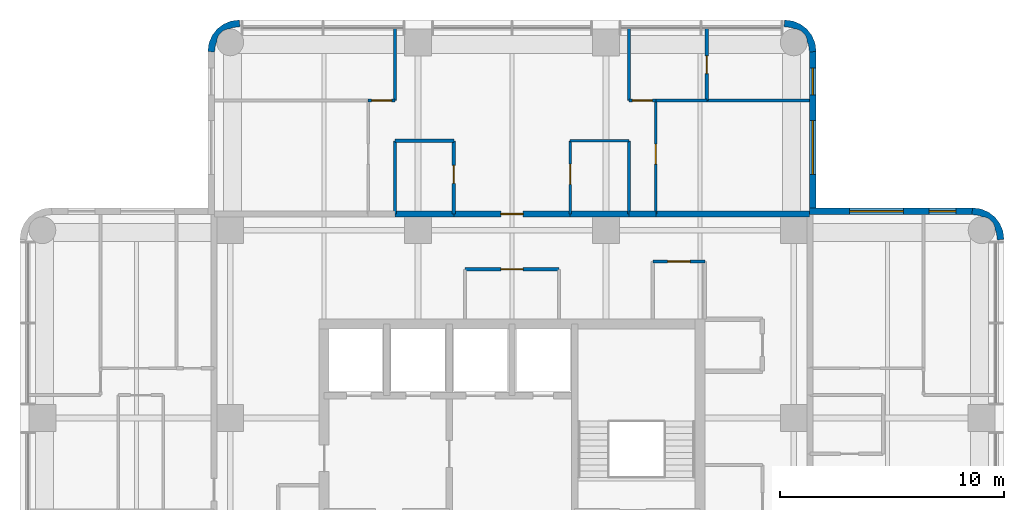
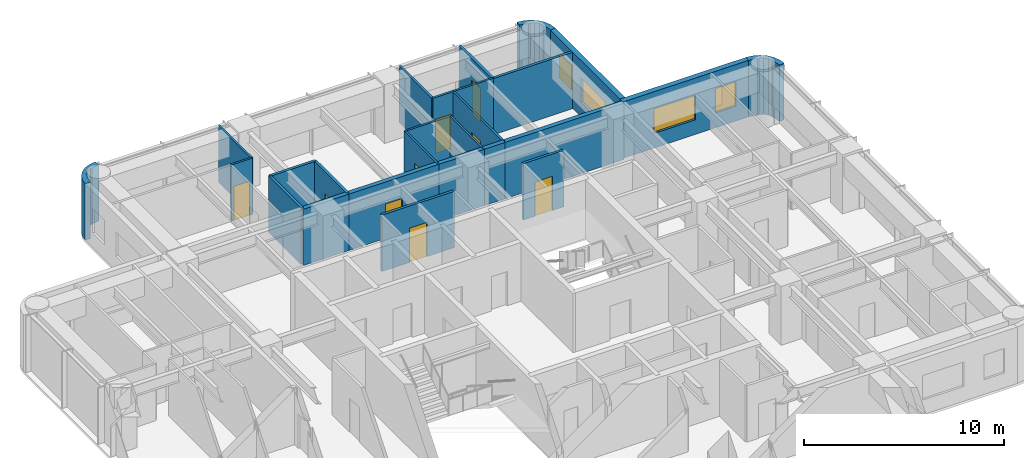
# One storey, part 8 of 10: 26 walls, 9 doors, 4 windows, 13 openings.
"""IFC4 building model written with IfcOpenShell, lengths in metres."""

from ifc_helpers import new_model, si_unit, direction, frame, frame_2d, origin, place, context, subcontext, project, spatial, polyline, rectangle, outline, extrude, material, layer, layer_set, type_object, element, fill, save


model = new_model("IFC4")

# Units and contexts
model_context = context("Model", 3, precision=1e-05, world=origin(), true_north=direction((0.0, 1.0)))
body_context = subcontext(model_context, "Body", "Model", "MODEL_VIEW")
ifc_project = project(units=[si_unit("LENGTHUNIT", "METRE"), si_unit("AREAUNIT", "SQUARE_METRE"), si_unit("VOLUMEUNIT", "CUBIC_METRE"), si_unit("PLANEANGLEUNIT", "RADIAN"), si_unit("MASSUNIT", "GRAM", prefix="KILO")], contexts=[model_context])

# Site, building, storey
site_placement = place(None, origin())
site = spatial("IfcSite", under=ifc_project, at=site_placement, CompositionType="ELEMENT")
building_placement = place(site_placement, origin())
building = spatial("IfcBuilding", under=site, at=building_placement, Name="Torre Alcanfor", CompositionType="ELEMENT")
storey_placement = place(building_placement, frame((0.0, 0.0, 264.89990234375)))
storey = spatial("IfcBuildingStorey", under=building, at=storey_placement, Name="L69", CompositionType="ELEMENT", Elevation=264.89990234375)

# Wall, opening, door
ifc_material_1 = material(Name="Concrete block masonry, hollow blocks NMX-C-404 9 MPa", Category="masonry")
ifc_layer_1 = layer(ifc_material_1, 0.25)
ifc_layer_set_1 = layer_set([ifc_layer_1], Name="Apartment entrance wall 250 EI 60")
wall_type_1 = type_object("IfcWallType", Name="Apartment entrance wall 250 EI 60", PredefinedType="PARTITIONING", material=ifc_layer_set_1)
wall_1_placement = place(storey_placement, frame((26.800048828125, 42.72509765625, 0.0), z_axis=(0.0, 0.0, 1.0), x_axis=(1.0, 0.0, 0.0)))
wall_1 = element("IfcWall", 1, at=wall_1_placement, inside=storey, type_object=wall_type_1, Name="Partition L69-CORR / L69-NX-ZAG", PredefinedType="PARTITIONING", context=body_context, shape_type="SweptSolid", body=[
    extrude(rectangle(XDim=5.199951171875, YDim=0.25, at=frame_2d((2.60009765625, 0.0))), origin(), (0.0, 0.0, 1.0), 3.4501953125),
])
opening_1_placement = place(wall_1_placement, frame((2.10009765625, 0.0, 0.0)))
opening_1 = element("IfcOpeningElement", 2, at=opening_1_placement, cuts=wall_1, Name="Opening D-A1", PredefinedType="OPENING", context=body_context, shape_type="SweptSolid", body=[
    extrude(rectangle(XDim=1.0, YDim=2.10009765625, at=frame_2d((0.5, 1.050048828125))), frame((0.0, 0.135009765625, 0.0), z_axis=(0.0, -1.0, 0.0), x_axis=(1.0, 0.0, 0.0)), (0.0, 0.0, 1.0), 0.27001953125),
])
ifc_material_2 = material(Name="Galvanised steel sheet ASTM A653", Category="steel")
door_type_1 = type_object("IfcDoorType", Name="Apartment entrance door FD60 1000x2100", OperationType="SINGLE_SWING_LEFT", PredefinedType="DOOR", material=ifc_material_2)
door_1_placement = place(opening_1_placement, origin())
door_1 = element("IfcDoor", 3, at=door_1_placement, inside=storey, type_object=door_type_1, Name="Apartment entrance L69-NX", OperationType="SINGLE_SWING_LEFT", OverallHeight=2.10009765625, OverallWidth=1.0, PredefinedType="DOOR", context=body_context, shape_type="SweptSolid", body=[
    extrude(rectangle(XDim=1.0, YDim=2.10009765625, at=frame_2d((0.5, 1.050048828125))), frame((0.0, 0.02490234375, 0.0), z_axis=(0.0, -1.0, 0.0), x_axis=(1.0, 0.0, 0.0)), (0.0, 0.0, 1.0), 0.050048828125),
])
fill(opening_1, door_1)

# Walls
wall_2_placement = place(storey_placement, frame((24.1708984375, 42.72509765625, 0.0), z_axis=(0.0, 0.0, 1.0), x_axis=(1.0, 0.0, 0.0)))
element("IfcWall", 4, at=wall_2_placement, inside=storey, type_object=wall_type_1, Name="Partition L69-CORR / L69-NX-BATH2", PredefinedType="PARTITIONING", context=body_context, shape_type="SweptSolid", body=[
    extrude(rectangle(XDim=2.629150390625, YDim=0.25, at=frame_2d((1.314453125, 0.0))), origin(), (0.0, 0.0, 1.0), 3.4501953125),
])
wall_3_placement = place(storey_placement, frame((32.0, 42.72509765625, 0.0), z_axis=(0.0, 0.0, 1.0), x_axis=(1.0, 0.0, 0.0)))
element("IfcWall", 5, at=wall_3_placement, inside=storey, type_object=wall_type_1, Name="Partition L69-CORR / L69-NX-KITCHEN", PredefinedType="PARTITIONING", context=body_context, shape_type="SweptSolid", body=[
    extrude(rectangle(XDim=2.62890625, YDim=0.25, at=frame_2d((1.314453125, 0.0))), origin(), (0.0, 0.0, 1.0), 3.4501953125),
])
wall_4_placement = place(storey_placement, frame((34.62890625, 42.72509765625, 0.0), z_axis=(0.0, 0.0, 1.0), x_axis=(1.0, 0.0, 0.0)))
element("IfcWall", 6, at=wall_4_placement, inside=storey, type_object=wall_type_1, Name="Partition L69-CORR / L69-NX-LIVING", PredefinedType="PARTITIONING", context=body_context, shape_type="SweptSolid", body=[
    extrude(rectangle(XDim=1.2001953125, YDim=0.25, at=frame_2d((0.60009765625, 0.0))), origin(), (0.0, 0.0, 1.0), 3.4501953125),
])
wall_5_placement = place(storey_placement, frame((35.8291015625, 42.72509765625, 0.0), z_axis=(0.0, 0.0, 1.0), x_axis=(1.0, 0.0, 0.0)))
element("IfcWall", 7, at=wall_5_placement, inside=storey, type_object=wall_type_1, Name="Partition L69-CORR / L69-NX-BED3", PredefinedType="PARTITIONING", context=body_context, shape_type="SweptSolid", body=[
    extrude(rectangle(XDim=6.870849609375, YDim=0.25, at=frame_2d((3.435546875, 0.0))), origin(), (0.0, 0.0, 1.0), 3.4501953125),
])

# Wall, opening, door
ifc_material_3 = material(Name="Gypsum board on steel studs", Category="steel")
ifc_layer_2 = layer(ifc_material_3, 0.1201171875)
ifc_layer_set_2 = layer_set([ifc_layer_2], Name="Apartment partition 120")
wall_type_2 = type_object("IfcWallType", Name="Apartment partition 120", PredefinedType="PARTITIONING", material=ifc_layer_set_2)
wall_6_placement = place(storey_placement, frame((32.0, 42.72509765625, 0.0), z_axis=(0.0, 0.0, 1.0), x_axis=(0.0, 1.0, 0.0)))
wall_6 = element("IfcWall", 8, at=wall_6_placement, inside=storey, type_object=wall_type_2, Name="Partition L69-NX-ZAG / L69-NX-KITCHEN", PredefinedType="PARTITIONING", context=body_context, shape_type="SweptSolid", body=[
    extrude(rectangle(XDim=3.27490234375, YDim=0.1201171875, at=frame_2d((1.637451171875, 0.0))), origin(), (0.0, 0.0, 1.0), 3.4501953125),
])
opening_2_placement = place(wall_6_placement, frame((1.324951171875, 0.0, 0.0)))
opening_2 = element("IfcOpeningElement", 9, at=opening_2_placement, cuts=wall_6, Name="Opening D-R1", PredefinedType="OPENING", context=body_context, shape_type="SweptSolid", body=[
    extrude(rectangle(XDim=0.89990234375, YDim=2.10009765625, at=frame_2d((0.449951171875, 1.050048828125))), frame((0.0, 0.070068359375, 0.0), z_axis=(0.0, -1.0, 0.0), x_axis=(1.0, 0.0, 0.0)), (0.0, 0.0, 1.0), 0.14013671875),
])
ifc_material_4 = material(Name="Timber", Category="wood")
door_type_2 = type_object("IfcDoorType", Name="Internal door 900x2100", OperationType="SINGLE_SWING_LEFT", PredefinedType="DOOR", material=ifc_material_4)
door_2_placement = place(opening_2_placement, frame((0.89990234375, 0.0, 0.0), z_axis=(0.0, 0.0, 1.0), x_axis=(-1.0, 0.0, 0.0)))
door_2 = element("IfcDoor", 10, at=door_2_placement, inside=storey, type_object=door_type_2, Name="Door L69-NX kitchen", OperationType="SINGLE_SWING_LEFT", OverallHeight=2.10009765625, OverallWidth=0.89990234375, PredefinedType="DOOR", context=body_context, shape_type="SweptSolid", body=[
    extrude(rectangle(XDim=0.89990234375, YDim=2.10009765625, at=frame_2d((0.449951171875, 1.050048828125))), frame((0.0, 0.025146484375, 0.0), z_axis=(0.0, -1.0, 0.0), x_axis=(1.0, 0.0, 0.0)), (0.0, 0.0, 1.0), 0.050048828125),
])
fill(opening_2, door_2)

# Walls
wall_7_placement = place(storey_placement, frame((34.62890625, 42.72509765625, 0.0), z_axis=(0.0, 0.0, 1.0), x_axis=(0.0, 1.0, 0.0)))
element("IfcWall", 11, at=wall_7_placement, inside=storey, type_object=wall_type_2, Name="Partition L69-NX-KITCHEN / L69-NX-LIVING", PredefinedType="PARTITIONING", context=body_context, shape_type="SweptSolid", body=[
    extrude(rectangle(XDim=3.27490234375, YDim=0.1201171875, at=frame_2d((1.637451171875, 0.0))), origin(), (0.0, 0.0, 1.0), 3.4501953125),
])
wall_8_placement = place(storey_placement, frame((34.62890625, 46.0, 0.0), z_axis=(0.0, 0.0, 1.0), x_axis=(-1.0, 0.0, 0.0)))
element("IfcWall", 12, at=wall_8_placement, inside=storey, type_object=wall_type_2, Name="Partition L69-NX-KITCHEN / L69-NX-LIVING", PredefinedType="PARTITIONING", context=body_context, shape_type="SweptSolid", body=[
    extrude(rectangle(XDim=2.62890625, YDim=0.1201171875, at=frame_2d((1.314453125, 0.0))), origin(), (0.0, 0.0, 1.0), 3.4501953125),
])

# Wall, opening, door
wall_9_placement = place(storey_placement, frame((22.970947265625, 47.800048828125, 0.0), z_axis=(0.0, 0.0, 1.0), x_axis=(1.0, 0.0, 0.0)))
wall_9 = element("IfcWall", 13, at=wall_9_placement, inside=storey, type_object=wall_type_2, Name="Partition L69-NX-LIVING / L69-NX-MASTER", PredefinedType="PARTITIONING", context=body_context, shape_type="SweptSolid", body=[
    extrude(rectangle(XDim=1.199951171875, YDim=0.1201171875, at=frame_2d((0.60009765625, 0.0))), origin(), (0.0, 0.0, 1.0), 3.4501953125),
])
opening_3_placement = place(wall_9_placement, frame((0.14892578125, 0.0, 0.0)))
opening_3 = element("IfcOpeningElement", 14, at=opening_3_placement, cuts=wall_9, Name="Opening D-R1", PredefinedType="OPENING", context=body_context, shape_type="SweptSolid", body=[
    extrude(rectangle(XDim=0.89990234375, YDim=2.10009765625, at=frame_2d((0.449951171875, 1.050048828125))), frame((0.0, 0.070068359375, 0.0), z_axis=(0.0, -1.0, 0.0), x_axis=(1.0, 0.0, 0.0)), (0.0, 0.0, 1.0), 0.14013671875),
])
door_3_placement = place(opening_3_placement, origin())
door_3 = element("IfcDoor", 15, at=door_3_placement, inside=storey, type_object=door_type_2, Name="Door L69-NX master", OperationType="SINGLE_SWING_RIGHT", OverallHeight=2.10009765625, OverallWidth=0.89990234375, PredefinedType="DOOR", context=body_context, shape_type="SweptSolid", body=[
    extrude(rectangle(XDim=0.89990234375, YDim=2.10009765625, at=frame_2d((0.449951171875, 1.050048828125))), frame((0.0, 0.02490234375, 0.0), z_axis=(0.0, -1.0, 0.0), x_axis=(1.0, 0.0, 0.0)), (0.0, 0.0, 1.0), 0.050048828125),
])
fill(opening_3, door_3)

# Wall
wall_10_placement = place(storey_placement, frame((24.1708984375, 47.800048828125, 0.0), z_axis=(0.0, 0.0, 1.0), x_axis=(0.0, 1.0, 0.0)))
element("IfcWall", 16, at=wall_10_placement, inside=storey, type_object=wall_type_2, Name="Partition L69-NX-LIVING / L69-NX-MASTER", PredefinedType="PARTITIONING", context=body_context, shape_type="SweptSolid", body=[
    extrude(rectangle(XDim=3.25, YDim=0.1201171875, at=frame_2d((1.625, 0.0))), origin(), (0.0, 0.0, 1.0), 3.4501953125),
])

# Wall, opening, door
wall_11_placement = place(storey_placement, frame((35.8291015625, 47.800048828125, 0.0), z_axis=(0.0, 0.0, 1.0), x_axis=(0.0, -1.0, 0.0)))
wall_11 = element("IfcWall", 17, at=wall_11_placement, inside=storey, type_object=wall_type_2, Name="Partition L69-NX-LIVING / L69-NX-BED3", PredefinedType="PARTITIONING", context=body_context, shape_type="SweptSolid", body=[
    extrude(rectangle(XDim=5.074951171875, YDim=0.1201171875, at=frame_2d((2.53759765625, 0.0))), origin(), (0.0, 0.0, 1.0), 3.4501953125),
])
opening_4_placement = place(wall_11_placement, frame((1.949951171875, 0.0, 0.0)))
opening_4 = element("IfcOpeningElement", 18, at=opening_4_placement, cuts=wall_11, Name="Opening D-R1", PredefinedType="OPENING", context=body_context, shape_type="SweptSolid", body=[
    extrude(rectangle(XDim=0.89990234375, YDim=2.10009765625, at=frame_2d((0.449951171875, 1.050048828125))), frame((0.0, 0.070068359375, 0.0), z_axis=(0.0, -1.0, 0.0), x_axis=(1.0, 0.0, 0.0)), (0.0, 0.0, 1.0), 0.14013671875),
])
door_4_placement = place(opening_4_placement, origin())
door_4 = element("IfcDoor", 19, at=door_4_placement, inside=storey, type_object=door_type_2, Name="Door L69-NX bed3", OperationType="SINGLE_SWING_LEFT", OverallHeight=2.10009765625, OverallWidth=0.89990234375, PredefinedType="DOOR", context=body_context, shape_type="SweptSolid", body=[
    extrude(rectangle(XDim=0.89990234375, YDim=2.10009765625, at=frame_2d((0.449951171875, 1.050048828125))), frame((0.0, 0.02490234375, 0.0), z_axis=(0.0, -1.0, 0.0), x_axis=(1.0, 0.0, 0.0)), (0.0, 0.0, 1.0), 0.050048828125),
])
fill(opening_4, door_4)

# Wall
wall_12_placement = place(storey_placement, frame((34.62890625, 51.050048828125, 0.0), z_axis=(0.0, 0.0, 1.0), x_axis=(0.0, -1.0, 0.0)))
element("IfcWall", 20, at=wall_12_placement, inside=storey, type_object=wall_type_2, Name="Partition L69-NX-LIVING / L69-NX-BED1", PredefinedType="PARTITIONING", context=body_context, shape_type="SweptSolid", body=[
    extrude(rectangle(XDim=3.25, YDim=0.1201171875, at=frame_2d((1.625, 0.0))), origin(), (0.0, 0.0, 1.0), 3.4501953125),
])

# Wall, opening, door
wall_13_placement = place(storey_placement, frame((34.62890625, 47.800048828125, 0.0), z_axis=(0.0, 0.0, 1.0), x_axis=(1.0, 0.0, 0.0)))
wall_13 = element("IfcWall", 21, at=wall_13_placement, inside=storey, type_object=wall_type_2, Name="Partition L69-NX-LIVING / L69-NX-BED1", PredefinedType="PARTITIONING", context=body_context, shape_type="SweptSolid", body=[
    extrude(rectangle(XDim=1.2001953125, YDim=0.1201171875, at=frame_2d((0.60009765625, 0.0))), origin(), (0.0, 0.0, 1.0), 3.4501953125),
])
opening_5_placement = place(wall_13_placement, frame((0.15087890625, 0.0, 0.0)))
opening_5 = element("IfcOpeningElement", 22, at=opening_5_placement, cuts=wall_13, Name="Opening D-R1", PredefinedType="OPENING", context=body_context, shape_type="SweptSolid", body=[
    extrude(rectangle(XDim=0.89990234375, YDim=2.10009765625, at=frame_2d((0.449951171875, 1.050048828125))), frame((0.0, 0.070068359375, 0.0), z_axis=(0.0, -1.0, 0.0), x_axis=(1.0, 0.0, 0.0)), (0.0, 0.0, 1.0), 0.14013671875),
])
door_5_placement = place(opening_5_placement, origin())
door_5 = element("IfcDoor", 23, at=door_5_placement, inside=storey, type_object=door_type_2, Name="Door L69-NX bed1", OperationType="SINGLE_SWING_LEFT", OverallHeight=2.10009765625, OverallWidth=0.89990234375, PredefinedType="DOOR", context=body_context, shape_type="SweptSolid", body=[
    extrude(rectangle(XDim=0.89990234375, YDim=2.10009765625, at=frame_2d((0.449951171875, 1.050048828125))), frame((0.0, 0.02490234375, 0.0), z_axis=(0.0, -1.0, 0.0), x_axis=(1.0, 0.0, 0.0)), (0.0, 0.0, 1.0), 0.050048828125),
])
fill(opening_5, door_5)

# Wall
wall_14_placement = place(storey_placement, frame((38.114013671875, 47.800048828125, 0.0), z_axis=(0.0, 0.0, 1.0), x_axis=(-1.0, 0.0, 0.0)))
element("IfcWall", 24, at=wall_14_placement, inside=storey, type_object=wall_type_2, Name="Partition L69-NX-BED3 / L69-NX-BED1", PredefinedType="PARTITIONING", context=body_context, shape_type="SweptSolid", body=[
    extrude(rectangle(XDim=2.284912109375, YDim=0.1201171875, at=frame_2d((1.142578125, 0.0))), origin(), (0.0, 0.0, 1.0), 3.4501953125),
])

# Wall, openings, windows
ifc_material_5 = material(Name="Limestone cladding", Category="masonry")
ifc_layer_3 = layer(ifc_material_5, 0.0400390625, Name="Facing")
ifc_material_6 = material(Name="Ventilated air cavity")
ifc_layer_4 = layer(ifc_material_6, 0.02001953125, ventilated=True, Name="Ventilated joint")
ifc_material_7 = material(Name="Mineral wool insulation", Category="insulation")
ifc_layer_5 = layer(ifc_material_7, 0.10009765625, Name="Insulation")
ifc_material_8 = material(Name="Concrete f'c 35 MPa", Category="concrete")
ifc_layer_6 = layer(ifc_material_8, 0.139892578125, Name="Backing")
ifc_layer_set_3 = layer_set([ifc_layer_3, ifc_layer_4, ifc_layer_5, ifc_layer_6], Name="External wall stone-clad 300")
wall_type_3 = type_object("IfcWallType", Name="External wall stone-clad 300", PredefinedType="SOLIDWALL", material=ifc_layer_set_3)
wall_15_placement = place(storey_placement, frame((50.0, 42.85009765625, 0.0), z_axis=(0.0, 0.0, 1.0), x_axis=(-1.0, 0.0, 0.0)))
wall_15 = element("IfcWall", 25, at=wall_15_placement, inside=storey, type_object=wall_type_3, Name="External wall L69 9", PredefinedType="SOLIDWALL", context=body_context, shape_type="SweptSolid", body=[
    extrude(rectangle(XDim=7.300048828125, YDim=0.300048828125, at=frame_2d((3.64990234375, 0.0))), origin(), (0.0, 0.0, 1.0), 3.4501953125),
])
opening_6_placement = place(wall_15_placement, frame((3.10009765625, 0.0, 0.89990234375)))
opening_6 = element("IfcOpeningElement", 26, at=opening_6_placement, cuts=wall_15, Name="Opening W1", PredefinedType="OPENING", context=body_context, shape_type="SweptSolid", body=[
    extrude(rectangle(XDim=2.39990234375, YDim=1.5, at=frame_2d((1.199951171875, 0.75))), frame((0.0, 0.159912109375, 0.0), z_axis=(0.0, -1.0, 0.0), x_axis=(1.0, 0.0, 0.0)), (0.0, 0.0, 1.0), 0.320068359375),
])
opening_7_placement = place(wall_15_placement, frame((0.75, 0.0, 0.89990234375)))
opening_7 = element("IfcOpeningElement", 27, at=opening_7_placement, cuts=wall_15, Name="Opening W4", PredefinedType="OPENING", context=body_context, shape_type="SweptSolid", body=[
    extrude(rectangle(XDim=1.199951171875, YDim=1.5, at=frame_2d((0.60009765625, 0.75))), frame((0.0, 0.159912109375, 0.0), z_axis=(0.0, -1.0, 0.0), x_axis=(1.0, 0.0, 0.0)), (0.0, 0.0, 1.0), 0.320068359375),
])
ifc_material_9 = material(Name="Aluminium frame with clear double glazing", Category="aluminium")
window_type_1 = type_object("IfcWindowType", Name="Window bedroom 1200x1500", PartitioningType="SINGLE_PANEL", PredefinedType="WINDOW", material=ifc_material_9)
window_1_placement = place(opening_7_placement, origin())
window_1 = element("IfcWindow", 28, at=window_1_placement, inside=storey, type_object=window_type_1, Name="Window W4 L69-E1", OverallHeight=1.5, OverallWidth=1.199951171875, PartitioningType="SINGLE_PANEL", PredefinedType="WINDOW", context=body_context, shape_type="SweptSolid", body=[
    extrude(rectangle(XDim=1.199951171875, YDim=1.5, at=frame_2d((0.60009765625, 0.75))), frame((0.0, 0.030029296875, 0.0), z_axis=(0.0, -1.0, 0.0), x_axis=(1.0, 0.0, 0.0)), (0.0, 0.0, 1.0), 0.06005859375),
])
fill(opening_7, window_1)
ifc_material_10 = material(Name="Aluminium frame with clear double glazing", Category="aluminium")
window_type_2 = type_object("IfcWindowType", Name="Window bedroom 2400x1500", PartitioningType="SINGLE_PANEL", PredefinedType="WINDOW", material=ifc_material_10)
window_2_placement = place(opening_6_placement, origin())
window_2 = element("IfcWindow", 29, at=window_2_placement, inside=storey, type_object=window_type_2, Name="Window W1 L69-E1", OverallHeight=1.5, OverallWidth=2.39990234375, PartitioningType="SINGLE_PANEL", PredefinedType="WINDOW", context=body_context, shape_type="SweptSolid", body=[
    extrude(rectangle(XDim=2.39990234375, YDim=1.5, at=frame_2d((1.199951171875, 0.75))), frame((0.0, 0.030029296875, 0.0), z_axis=(0.0, -1.0, 0.0), x_axis=(1.0, 0.0, 0.0)), (0.0, 0.0, 1.0), 0.06005859375),
])
fill(opening_6, window_2)

wall_16_placement = place(storey_placement, frame((42.85009765625, 43.0, 0.0), z_axis=(0.0, 0.0, 1.0), x_axis=(0.0, 1.0, 0.0)))
wall_16 = element("IfcWall", 30, at=wall_16_placement, inside=storey, type_object=wall_type_3, Name="External wall L69 10", PredefinedType="SOLIDWALL", context=body_context, shape_type="SweptSolid", body=[
    extrude(rectangle(XDim=7.0, YDim=0.300048828125, at=frame_2d((3.5, 0.0))), origin(), (0.0, 0.0, 1.0), 3.4501953125),
])
opening_8_placement = place(wall_16_placement, frame((1.5, 0.0, 0.89990234375)))
opening_8 = element("IfcOpeningElement", 31, at=opening_8_placement, cuts=wall_16, Name="Opening W1", PredefinedType="OPENING", context=body_context, shape_type="SweptSolid", body=[
    extrude(rectangle(XDim=2.39990234375, YDim=1.5, at=frame_2d((1.199951171875, 0.75))), frame((0.0, 0.159912109375, 0.0), z_axis=(0.0, -1.0, 0.0), x_axis=(1.0, 0.0, 0.0)), (0.0, 0.0, 1.0), 0.320068359375),
])
opening_9_placement = place(wall_16_placement, frame((5.050048828125, 0.0, 0.89990234375)))
opening_9 = element("IfcOpeningElement", 32, at=opening_9_placement, cuts=wall_16, Name="Opening W4", PredefinedType="OPENING", context=body_context, shape_type="SweptSolid", body=[
    extrude(rectangle(XDim=1.199951171875, YDim=1.5, at=frame_2d((0.60009765625, 0.75))), frame((0.0, 0.159912109375, 0.0), z_axis=(0.0, -1.0, 0.0), x_axis=(1.0, 0.0, 0.0)), (0.0, 0.0, 1.0), 0.320068359375),
])
window_3_placement = place(opening_9_placement, origin())
window_3 = element("IfcWindow", 33, at=window_3_placement, inside=storey, type_object=window_type_1, Name="Window W4 L69-N2", OverallHeight=1.5, OverallWidth=1.199951171875, PartitioningType="SINGLE_PANEL", PredefinedType="WINDOW", context=body_context, shape_type="SweptSolid", body=[
    extrude(rectangle(XDim=1.199951171875, YDim=1.5, at=frame_2d((0.60009765625, 0.75))), frame((0.0, 0.030029296875, 0.0), z_axis=(0.0, -1.0, 0.0), x_axis=(1.0, 0.0, 0.0)), (0.0, 0.0, 1.0), 0.06005859375),
])
fill(opening_9, window_3)
window_4_placement = place(opening_8_placement, origin())
window_4 = element("IfcWindow", 34, at=window_4_placement, inside=storey, type_object=window_type_2, Name="Window W1 L69-N2", OverallHeight=1.5, OverallWidth=2.39990234375, PartitioningType="SINGLE_PANEL", PredefinedType="WINDOW", context=body_context, shape_type="SweptSolid", body=[
    extrude(rectangle(XDim=2.39990234375, YDim=1.5, at=frame_2d((1.199951171875, 0.75))), frame((0.0, 0.030029296875, 0.0), z_axis=(0.0, -1.0, 0.0), x_axis=(1.0, 0.0, 0.0)), (0.0, 0.0, 1.0), 0.06005859375),
])
fill(opening_8, window_4)

# Wall, opening, door
ifc_material_11 = material(Name="Concrete block masonry, hollow blocks NMX-C-404 9 MPa", Category="masonry")
ifc_layer_7 = layer(ifc_material_11, 0.14990234375)
ifc_layer_set_4 = layer_set([ifc_layer_7], Name="Residents' room partition 150")
wall_type_4 = type_object("IfcWallType", Name="Residents' room partition 150", PredefinedType="PARTITIONING", material=ifc_layer_set_4)
wall_17_placement = place(storey_placement, frame((31.5, 40.25, 0.0), z_axis=(0.0, 0.0, 1.0), x_axis=(-1.0, 0.0, 0.0)))
wall_17 = element("IfcWall", 35, at=wall_17_placement, inside=storey, type_object=wall_type_4, Name="Partition L69-CORR / L69-G01", PredefinedType="PARTITIONING", context=body_context, shape_type="SweptSolid", body=[
    extrude(rectangle(XDim=4.199951171875, YDim=0.14990234375, at=frame_2d((2.10009765625, 0.0))), origin(), (0.0, 0.0, 1.0), 3.4501953125),
])
opening_10_placement = place(wall_17_placement, frame((1.60009765625, 0.0, 0.0)))
opening_10 = element("IfcOpeningElement", 36, at=opening_10_placement, cuts=wall_17, Name="Opening D-M1", PredefinedType="OPENING", context=body_context, shape_type="SweptSolid", body=[
    extrude(rectangle(XDim=1.0, YDim=2.10009765625, at=frame_2d((0.5, 1.050048828125))), frame((0.0, 0.0849609375, 0.0), z_axis=(0.0, -1.0, 0.0), x_axis=(1.0, 0.0, 0.0)), (0.0, 0.0, 1.0), 0.169921875),
])
ifc_material_12 = material(Name="Timber", Category="wood")
door_type_3 = type_object("IfcDoorType", Name="Residents' room door 1000x2100", OperationType="SINGLE_SWING_LEFT", PredefinedType="DOOR", material=ifc_material_12)
door_6_placement = place(opening_10_placement, origin())
door_6 = element("IfcDoor", 37, at=door_6_placement, inside=storey, type_object=door_type_3, Name="Door L69-G01 cleaners' store", OperationType="SINGLE_SWING_LEFT", OverallHeight=2.10009765625, OverallWidth=1.0, PredefinedType="DOOR", context=body_context, shape_type="SweptSolid", body=[
    extrude(rectangle(XDim=1.0, YDim=2.10009765625, at=frame_2d((0.5, 1.050048828125))), frame((0.0, 0.02490234375, 0.0), z_axis=(0.0, -1.0, 0.0), x_axis=(1.0, 0.0, 0.0)), (0.0, 0.0, 1.0), 0.050048828125),
])
fill(opening_10, door_6)

wall_18_placement = place(storey_placement, frame((38.02490234375, 40.60009765625, 0.0), z_axis=(0.0, 0.0, 1.0), x_axis=(-1.0, 0.0, 0.0)))
wall_18 = element("IfcWall", 38, at=wall_18_placement, inside=storey, type_object=wall_type_4, Name="Partition L69-CORR / L69-G02", PredefinedType="PARTITIONING", context=body_context, shape_type="SweptSolid", body=[
    extrude(rectangle(XDim=2.324951171875, YDim=0.14990234375, at=frame_2d((1.16259765625, 0.0))), origin(), (0.0, 0.0, 1.0), 3.4501953125),
])
opening_11_placement = place(wall_18_placement, frame((0.66259765625, 0.0, 0.0)))
opening_11 = element("IfcOpeningElement", 39, at=opening_11_placement, cuts=wall_18, Name="Opening D-M1", PredefinedType="OPENING", context=body_context, shape_type="SweptSolid", body=[
    extrude(rectangle(XDim=1.0, YDim=2.10009765625, at=frame_2d((0.5, 1.050048828125))), frame((0.0, 0.0849609375, 0.0), z_axis=(0.0, -1.0, 0.0), x_axis=(1.0, 0.0, 0.0)), (0.0, 0.0, 1.0), 0.169921875),
])
door_7_placement = place(opening_11_placement, origin())
door_7 = element("IfcDoor", 40, at=door_7_placement, inside=storey, type_object=door_type_3, Name="Door L69-G02 linen store", OperationType="SINGLE_SWING_LEFT", OverallHeight=2.10009765625, OverallWidth=1.0, PredefinedType="DOOR", context=body_context, shape_type="SweptSolid", body=[
    extrude(rectangle(XDim=1.0, YDim=2.10009765625, at=frame_2d((0.5, 1.050048828125))), frame((0.0, 0.02490234375, 0.0), z_axis=(0.0, -1.0, 0.0), x_axis=(1.0, 0.0, 0.0)), (0.0, 0.0, 1.0), 0.050048828125),
])
fill(opening_11, door_7)

# Walls
ifc_layer_8 = layer(ifc_material_5, 0.0400390625, Name="Facing")
ifc_layer_9 = layer(ifc_material_6, 0.02001953125, ventilated=True, Name="Ventilated joint")
ifc_layer_10 = layer(ifc_material_7, 0.10009765625, Name="Insulation")
ifc_layer_11 = layer(ifc_material_8, 0.139892578125, Name="Backing")
ifc_layer_set_5 = layer_set([ifc_layer_8, ifc_layer_9, ifc_layer_10, ifc_layer_11], Name="Rounded corner pier stone-clad 300")
wall_type_5 = type_object("IfcWallType", Name="Rounded corner pier stone-clad 300", PredefinedType="SOLIDWALL", material=ifc_layer_set_5)
wall_19_placement = place(storey_placement, frame((50.975898117, 41.638418254, 0.0), z_axis=(0.0, 0.0, 1.0), x_axis=(0.707106781187, 0.707106781187, 0.0)))
element("IfcWall", 41, at=wall_19_placement, inside=storey, type_object=wall_type_5, Name="Corner pier L69 18", PredefinedType="SOLIDWALL", context=body_context, shape_type="SweptSolid", body=[
    extrude(outline(polyline([(0.23318643990489343, 0.11416555226925765), (0.04674226908422171, -0.12890240376361806), (0.032758956272671336, -0.14288571657516844), (0.27271950945853585, -0.32691301851483145), (0.4952440800028376, -0.03706138628528721), (0.6350772081183413, 0.3006097230899294), (0.682724051772513, 0.6627947882582343), (0.6350772081183413, 1.0253251204095404), (0.4952440800028376, 1.3629962297847569), (0.27271950945853585, 1.6528478620143012), (0.032586322781170685, 1.4686479265831376), (0.04656963559272109, 1.454664613771587), (0.2330138064133928, 1.2115966577387114), (0.2922270939981062, 1.0691740272506984), (0.35800045425984317, 1.0034006669889615), (0.44949620475517277, 0.7824297978681654), (0.4493235712636722, 0.5433324121398039), (0.3578278207683425, 0.32236154301900777), (0.29222709399810615, 0.2567608162487714), (0.23318643990489343, 0.11416555226925765)])), origin(), (0.0, 0.0, 1.0), 3.4501953125),
])
wall_20_placement = place(storey_placement, frame((42.575898117, 50.038418254, 0.0), z_axis=(0.0, 0.0, 1.0), x_axis=(0.707106781187, 0.707106781187, 0.0)))
element("IfcWall", 42, at=wall_20_placement, inside=storey, type_object=wall_type_5, Name="Corner pier L69 19", PredefinedType="SOLIDWALL", context=body_context, shape_type="SweptSolid", body=[
    extrude(outline(polyline([(0.2330138064133928, 0.11420007896755979), (0.0465696355927211, -0.12886787706531594), (0.03258632278117072, -0.14285118987686632), (0.27271950945853585, -0.32705112530802993), (0.4952440800028376, -0.03719949307848569), (0.6350772081183413, 0.3004716162967309), (0.682724051772513, 0.663001948448037), (0.6350772081183413, 1.025187013616342), (0.4952440800028376, 1.3628581229915584), (0.27271950945853596, 1.6527097552211027), (0.032758956272671336, 1.4686824532814398), (0.046742269084221744, 1.4546991404698892), (0.23318643990489346, 1.2116311844370136), (0.2922270939981061, 1.0690359204575), (0.35782782076834246, 1.0034351936872634), (0.4493235712636722, 0.7824643245664674), (0.44949620475517277, 0.543366938838106), (0.3580004542598431, 0.3223960697173099), (0.29222709399810615, 0.2566227094555729), (0.2330138064133928, 0.11420007896755979)])), origin(), (0.0, 0.0, 1.0), 3.4501953125),
])
wall_21_placement = place(storey_placement, frame((17.161581746, 50.975898117, 0.0), z_axis=(0.0, 0.0, 1.0), x_axis=(-0.707106781187, 0.707106781187, 0.0)))
element("IfcWall", 43, at=wall_21_placement, inside=storey, type_object=wall_type_5, Name="Corner pier L69 20", PredefinedType="SOLIDWALL", context=body_context, shape_type="SweptSolid", body=[
    extrude(outline(polyline([(0.04670774238592209, -0.12893693046191768), (0.03272442957437171, -0.14292024327346806), (0.2726849827602362, -0.3269475452131311), (0.495209553304538, -0.03709591298358683), (0.6350426814200417, 0.3005751963916298), (0.6826895250742134, 0.6627602615599347), (0.6350426814200417, 1.0252905937112406), (0.495209553304538, 1.3629617030864574), (0.2726849827602362, 1.6528133353160017), (0.032551796082871065, 1.468613399884838), (0.04653510889442147, 1.4546300870732876), (0.23315191320659384, 1.2117347645319125), (0.2921925672998066, 1.069139500552399), (0.35796592756154355, 1.003366140290662), (0.44946167805687315, 0.7823952711698656), (0.44928904456537255, 0.5432978854415043), (0.3579659275615435, 0.32249964981220874), (0.2921925672998065, 0.2567262895504718), (0.2331519132065938, 0.11413102557095803), (0.04670774238592209, -0.12893693046191768)])), origin(), (0.0, 0.0, 1.0), 3.4501953125),
])

# Wall, opening, door
ifc_material_13 = material(Name="Cement board on steel studs", Category="steel")
ifc_layer_12 = layer(ifc_material_13, 0.14990234375)
ifc_layer_set_6 = layer_set([ifc_layer_12], Name="Wet area partition 150")
wall_type_6 = type_object("IfcWallType", Name="Wet area partition 150", PredefinedType="PARTITIONING", material=ifc_layer_set_6)
wall_22_placement = place(storey_placement, frame((26.800048828125, 46.0, 0.0), z_axis=(0.0, 0.0, 1.0), x_axis=(0.0, -1.0, 0.0)))
wall_22 = element("IfcWall", 44, at=wall_22_placement, inside=storey, type_object=wall_type_6, Name="Partition L69-NX-ZAG / L69-NX-BATH2", PredefinedType="PARTITIONING", context=body_context, shape_type="SweptSolid", body=[
    extrude(rectangle(XDim=3.27490234375, YDim=0.14990234375, at=frame_2d((1.637451171875, 0.0))), origin(), (0.0, 0.0, 1.0), 3.4501953125),
])
opening_12_placement = place(wall_22_placement, frame((1.10009765625, 0.0, 0.0)))
opening_12 = element("IfcOpeningElement", 45, at=opening_12_placement, cuts=wall_22, Name="Opening D-R2", PredefinedType="OPENING", context=body_context, shape_type="SweptSolid", body=[
    extrude(rectangle(XDim=0.800048828125, YDim=2.10009765625, at=frame_2d((0.39990234375, 1.050048828125))), frame((0.0, 0.0849609375, 0.0), z_axis=(0.0, -1.0, 0.0), x_axis=(1.0, 0.0, 0.0)), (0.0, 0.0, 1.0), 0.169921875),
])
ifc_material_14 = material(Name="Timber", Category="wood")
door_type_4 = type_object("IfcDoorType", Name="Bathroom door 800x2100", OperationType="SINGLE_SWING_LEFT", PredefinedType="DOOR", material=ifc_material_14)
door_8_placement = place(opening_12_placement, frame((0.800048828125, 0.0, 0.0), z_axis=(0.0, 0.0, 1.0), x_axis=(-1.0, 0.0, 0.0)))
door_8 = element("IfcDoor", 46, at=door_8_placement, inside=storey, type_object=door_type_4, Name="Door L69-NX bath2", OperationType="SINGLE_SWING_RIGHT", OverallHeight=2.10009765625, OverallWidth=0.800048828125, PredefinedType="DOOR", context=body_context, shape_type="SweptSolid", body=[
    extrude(rectangle(XDim=0.800048828125, YDim=2.10009765625, at=frame_2d((0.400146484375, 1.050048828125))), frame((0.0, 0.025146484375, 0.0), z_axis=(0.0, -1.0, 0.0), x_axis=(1.0, 0.0, 0.0)), (0.0, 0.0, 1.0), 0.050048828125),
])
fill(opening_12, door_8)

# Walls
wall_23_placement = place(storey_placement, frame((26.800048828125, 46.0, 0.0), z_axis=(0.0, 0.0, 1.0), x_axis=(-1.0, 0.0, 0.0)))
element("IfcWall", 47, at=wall_23_placement, inside=storey, type_object=wall_type_6, Name="Partition L69-NX-BATH2 / L69-NX-LIVING", PredefinedType="PARTITIONING", context=body_context, shape_type="SweptSolid", body=[
    extrude(rectangle(XDim=2.629150390625, YDim=0.14990234375, at=frame_2d((1.314453125, 0.0))), origin(), (0.0, 0.0, 1.0), 3.4501953125),
])
wall_24_placement = place(storey_placement, frame((24.1708984375, 46.0, 0.0), z_axis=(0.0, 0.0, 1.0), x_axis=(0.0, -1.0, 0.0)))
element("IfcWall", 48, at=wall_24_placement, inside=storey, type_object=wall_type_6, Name="Partition L69-NX-BATH2 / L69-NX-LIVING", PredefinedType="PARTITIONING", context=body_context, shape_type="SweptSolid", body=[
    extrude(rectangle(XDim=3.27490234375, YDim=0.14990234375, at=frame_2d((1.637451171875, 0.0))), origin(), (0.0, 0.0, 1.0), 3.4501953125),
])
wall_25_placement = place(storey_placement, frame((42.699951171875, 47.800048828125, 0.0), z_axis=(0.0, 0.0, 1.0), x_axis=(-1.0, 0.0, 0.0)))
element("IfcWall", 49, at=wall_25_placement, inside=storey, type_object=wall_type_6, Name="Partition L69-NX-BED3 / L69-NX-BATH1", PredefinedType="PARTITIONING", context=body_context, shape_type="SweptSolid", body=[
    extrude(rectangle(XDim=4.5859375, YDim=0.14990234375, at=frame_2d((2.29296875, 0.0))), origin(), (0.0, 0.0, 1.0), 3.4501953125),
])

# Wall, opening, door
wall_26_placement = place(storey_placement, frame((38.114013671875, 51.050048828125, 0.0), z_axis=(0.0, 0.0, 1.0), x_axis=(0.0, -1.0, 0.0)))
wall_26 = element("IfcWall", 50, at=wall_26_placement, inside=storey, type_object=wall_type_6, Name="Partition L69-NX-BATH1 / L69-NX-BED1", PredefinedType="PARTITIONING", context=body_context, shape_type="SweptSolid", body=[
    extrude(rectangle(XDim=3.25, YDim=0.14990234375, at=frame_2d((1.625, 0.0))), origin(), (0.0, 0.0, 1.0), 3.4501953125),
])
opening_13_placement = place(wall_26_placement, frame((1.25, 0.0, 0.0)))
opening_13 = element("IfcOpeningElement", 51, at=opening_13_placement, cuts=wall_26, Name="Opening D-R2", PredefinedType="OPENING", context=body_context, shape_type="SweptSolid", body=[
    extrude(rectangle(XDim=0.800048828125, YDim=2.10009765625, at=frame_2d((0.39990234375, 1.050048828125))), frame((0.0, 0.0849609375, 0.0), z_axis=(0.0, -1.0, 0.0), x_axis=(1.0, 0.0, 0.0)), (0.0, 0.0, 1.0), 0.169921875),
])
door_9_placement = place(opening_13_placement, frame((0.800048828125, 0.0, 0.0), z_axis=(0.0, 0.0, 1.0), x_axis=(-1.0, 0.0, 0.0)))
door_9 = element("IfcDoor", 52, at=door_9_placement, inside=storey, type_object=door_type_4, Name="Door L69-NX bath1", OperationType="SINGLE_SWING_LEFT", OverallHeight=2.10009765625, OverallWidth=0.800048828125, PredefinedType="DOOR", context=body_context, shape_type="SweptSolid", body=[
    extrude(rectangle(XDim=0.800048828125, YDim=2.10009765625, at=frame_2d((0.400146484375, 1.050048828125))), frame((0.0, 0.025146484375, 0.0), z_axis=(0.0, -1.0, 0.0), x_axis=(1.0, 0.0, 0.0)), (0.0, 0.0, 1.0), 0.050048828125),
])
fill(opening_13, door_9)

save(model, "model.ifc")
